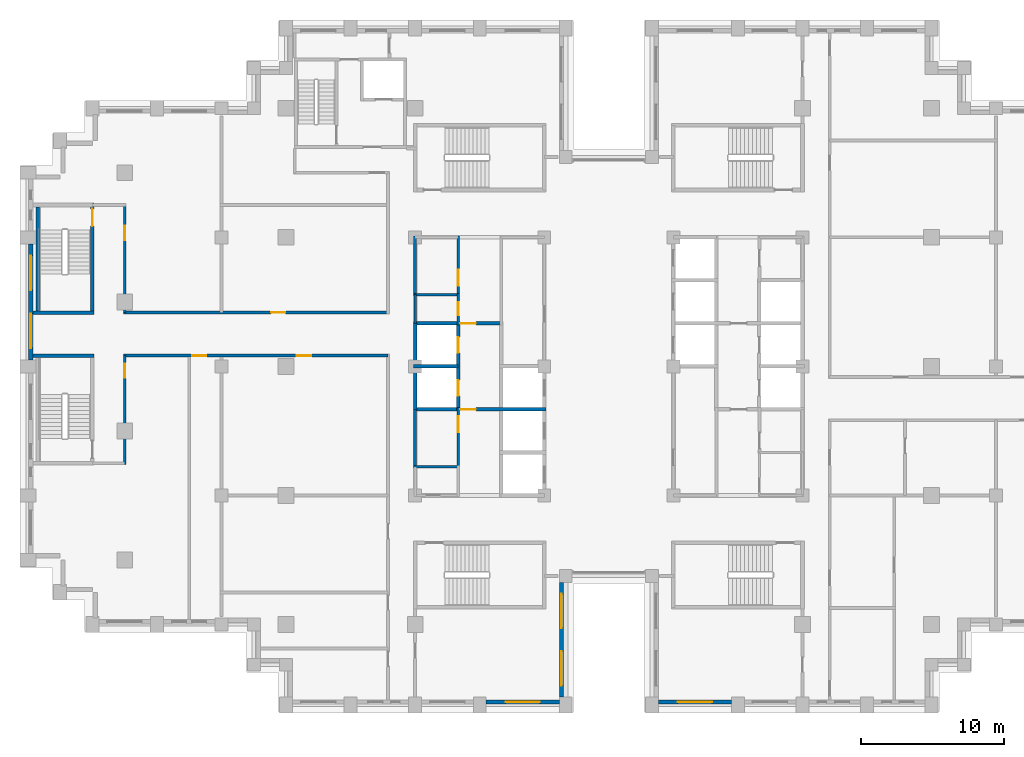
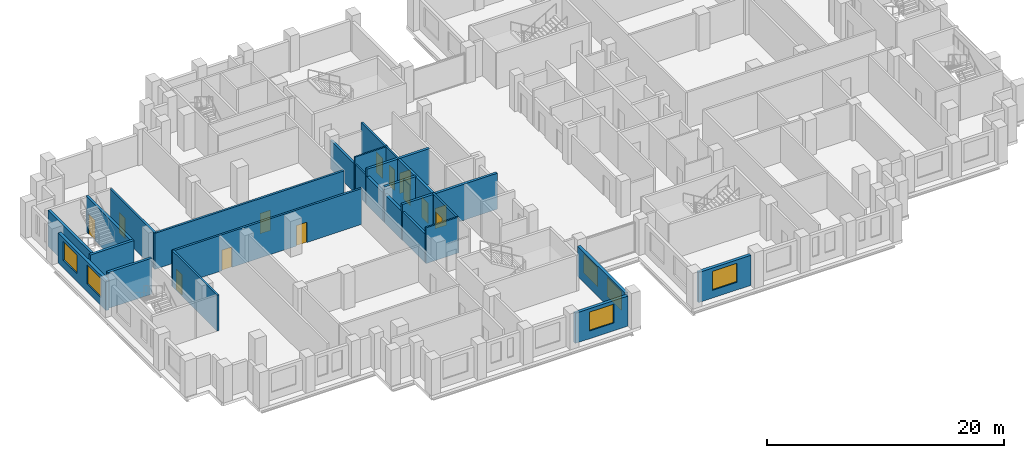
# One storey, part 7 of 15: 25 walls, 13 doors, 6 windows, 19 openings.
"""IFC4 building model written with IfcOpenShell, lengths in metres."""

from ifc_helpers import new_model, si_unit, direction, frame, frame_2d, origin, place, context, subcontext, project, spatial, rectangle, extrude, material, layer, layer_set, type_object, element, fill, save


model = new_model("IFC4")

# Units and contexts
model_context = context("Model", 3, precision=1e-05, world=origin(), true_north=direction((0.0, 1.0)))
body_context = subcontext(model_context, "Body", "Model", "MODEL_VIEW")
ifc_project = project(units=[si_unit("LENGTHUNIT", "METRE"), si_unit("AREAUNIT", "SQUARE_METRE"), si_unit("VOLUMEUNIT", "CUBIC_METRE"), si_unit("PLANEANGLEUNIT", "RADIAN"), si_unit("MASSUNIT", "GRAM", prefix="KILO")], contexts=[model_context])

# Site, building, storey
site_placement = place(None, origin())
site = spatial("IfcSite", under=ifc_project, at=site_placement, CompositionType="ELEMENT")
building_placement = place(site_placement, origin())
building = spatial("IfcBuilding", under=site, at=building_placement, Name="Corbelhall Arena Tower", CompositionType="ELEMENT")
storey_placement = place(building_placement, frame((0.0, 0.0, 138.0)))
storey = spatial("IfcBuildingStorey", under=building, at=storey_placement, Name="L26", CompositionType="ELEMENT", Elevation=138.0)

# Wall, openings, windows
ifc_material_1 = material(Name="Precast concrete C40/50 with granite facing", Category="masonry")
ifc_layer_1 = layer(ifc_material_1, 0.300048828125)
ifc_layer_set_1 = layer_set([ifc_layer_1], Name="EV-IW1 Infill panel 300")
wall_type_1 = type_object("IfcWallType", Name="EV-IW1 Infill panel 300", PredefinedType="SOLIDWALL", material=ifc_layer_set_1)
wall_1_placement = place(storey_placement, frame((-40.300048828125, 8.550048828125, 0.0), z_axis=(0.0, 0.0, 1.0), x_axis=(0.0, -1.0, 0.0)))
wall_1 = element("IfcWall", 1, at=wall_1_placement, inside=storey, type_object=wall_type_1, Name="Infill panel IW1", PredefinedType="SOLIDWALL", context=body_context, shape_type="SweptSolid", body=[
    extrude(rectangle(XDim=8.10009765625, YDim=0.300048828125, at=frame_2d((4.050048828125, 0.0))), origin(), (0.0, 0.0, 1.0), 3.10009765625),
])
opening_1_placement = place(wall_1_placement, frame((0.824951171875, 0.0, 0.800048828125)))
opening_1 = element("IfcOpeningElement", 2, at=opening_1_placement, cuts=wall_1, Name="Opening WN1", PredefinedType="OPENING", context=body_context, shape_type="SweptSolid", body=[
    extrude(rectangle(XDim=2.39990234375, YDim=1.949951171875, at=frame_2d((1.199951171875, 0.97509765625))), frame((0.0, 0.14990234375, 0.0), z_axis=(0.0, -1.0, 0.0), x_axis=(1.0, 0.0, 0.0)), (0.0, 0.0, 1.0), 0.300048828125),
])
opening_2_placement = place(wall_1_placement, frame((4.875, 0.0, 0.800048828125)))
opening_2 = element("IfcOpeningElement", 3, at=opening_2_placement, cuts=wall_1, Name="Opening WN1", PredefinedType="OPENING", context=body_context, shape_type="SweptSolid", body=[
    extrude(rectangle(XDim=2.39990234375, YDim=1.949951171875, at=frame_2d((1.199951171875, 0.97509765625))), frame((0.0, 0.14990234375, 0.0), z_axis=(0.0, -1.0, 0.0), x_axis=(1.0, 0.0, 0.0)), (0.0, 0.0, 1.0), 0.300048828125),
])
ifc_material_2 = material(Name="Aluminium black anodised", Category="aluminium")
window_type = type_object("IfcWindowType", Name="EV-WN1 Office window", PartitioningType="SINGLE_PANEL", PredefinedType="WINDOW", material=ifc_material_2)
window_1_placement = place(opening_1_placement, origin())
window_1 = element("IfcWindow", 4, at=window_1_placement, inside=storey, type_object=window_type, Name="Window WN1", OverallHeight=1.949951171875, OverallWidth=2.39990234375, PartitioningType="SINGLE_PANEL", PredefinedType="WINDOW", context=body_context, shape_type="SweptSolid", body=[
    extrude(rectangle(XDim=2.39990234375, YDim=1.949951171875, at=frame_2d((1.199951171875, 0.97509765625))), frame((0.0, 0.030029296875, 0.0), z_axis=(0.0, -1.0, 0.0), x_axis=(1.0, 0.0, 0.0)), (0.0, 0.0, 1.0), 0.06005859375),
])
fill(opening_1, window_1)
window_2_placement = place(opening_2_placement, origin())
window_2 = element("IfcWindow", 5, at=window_2_placement, inside=storey, type_object=window_type, Name="Window WN1", OverallHeight=1.949951171875, OverallWidth=2.39990234375, PartitioningType="SINGLE_PANEL", PredefinedType="WINDOW", context=body_context, shape_type="SweptSolid", body=[
    extrude(rectangle(XDim=2.39990234375, YDim=1.949951171875, at=frame_2d((1.199951171875, 0.97509765625))), frame((0.0, 0.030029296875, 0.0), z_axis=(0.0, -1.0, 0.0), x_axis=(1.0, 0.0, 0.0)), (0.0, 0.0, 1.0), 0.06005859375),
])
fill(opening_2, window_2)

# Wall, opening, window
wall_2_placement = place(storey_placement, frame((-8.550048828125, -23.39990234375, 0.0), z_axis=(0.0, 0.0, 1.0), x_axis=(1.0, 0.0, 0.0)))
wall_2 = element("IfcWall", 6, at=wall_2_placement, inside=storey, type_object=wall_type_1, Name="Infill panel IW1", PredefinedType="SOLIDWALL", context=body_context, shape_type="SweptSolid", body=[
    extrude(rectangle(XDim=5.10009765625, YDim=0.300048828125, at=frame_2d((2.550048828125, 0.0))), origin(), (0.0, 0.0, 1.0), 3.10009765625),
])
opening_3_placement = place(wall_2_placement, frame((1.35009765625, 0.0, 0.800048828125)))
opening_3 = element("IfcOpeningElement", 7, at=opening_3_placement, cuts=wall_2, Name="Opening WN1", PredefinedType="OPENING", context=body_context, shape_type="SweptSolid", body=[
    extrude(rectangle(XDim=2.39990234375, YDim=1.949951171875, at=frame_2d((1.199951171875, 0.97509765625))), frame((0.0, 0.14990234375, 0.0), z_axis=(0.0, -1.0, 0.0), x_axis=(1.0, 0.0, 0.0)), (0.0, 0.0, 1.0), 0.300048828125),
])
window_3_placement = place(opening_3_placement, origin())
window_3 = element("IfcWindow", 8, at=window_3_placement, inside=storey, type_object=window_type, Name="Window WN1", OverallHeight=1.949951171875, OverallWidth=2.39990234375, PartitioningType="SINGLE_PANEL", PredefinedType="WINDOW", context=body_context, shape_type="SweptSolid", body=[
    extrude(rectangle(XDim=2.39990234375, YDim=1.949951171875, at=frame_2d((1.199951171875, 0.97509765625))), frame((0.0, 0.030029296875, 0.0), z_axis=(0.0, -1.0, 0.0), x_axis=(1.0, 0.0, 0.0)), (0.0, 0.0, 1.0), 0.06005859375),
])
fill(opening_3, window_3)

# Wall, openings, windows
wall_3_placement = place(storey_placement, frame((-3.300048828125, -23.050048828125, 0.0), z_axis=(0.0, 0.0, 1.0), x_axis=(0.0, 1.0, 0.0)))
wall_3 = element("IfcWall", 9, at=wall_3_placement, inside=storey, type_object=wall_type_1, Name="Infill panel IW1", PredefinedType="SOLIDWALL", context=body_context, shape_type="SweptSolid", body=[
    extrude(rectangle(XDim=8.0, YDim=0.300048828125, at=frame_2d((4.0, 0.0))), origin(), (0.0, 0.0, 1.0), 3.10009765625),
])
opening_4_placement = place(wall_3_placement, frame((0.800048828125, 0.0, 0.800048828125)))
opening_4 = element("IfcOpeningElement", 10, at=opening_4_placement, cuts=wall_3, Name="Opening WN1", PredefinedType="OPENING", context=body_context, shape_type="SweptSolid", body=[
    extrude(rectangle(XDim=2.39990234375, YDim=1.949951171875, at=frame_2d((1.199951171875, 0.97509765625))), frame((0.0, 0.14990234375, 0.0), z_axis=(0.0, -1.0, 0.0), x_axis=(1.0, 0.0, 0.0)), (0.0, 0.0, 1.0), 0.300048828125),
])
opening_5_placement = place(wall_3_placement, frame((4.800048828125, 0.0, 0.800048828125)))
opening_5 = element("IfcOpeningElement", 11, at=opening_5_placement, cuts=wall_3, Name="Opening WN1", PredefinedType="OPENING", context=body_context, shape_type="SweptSolid", body=[
    extrude(rectangle(XDim=2.39990234375, YDim=1.949951171875, at=frame_2d((1.199951171875, 0.97509765625))), frame((0.0, 0.14990234375, 0.0), z_axis=(0.0, -1.0, 0.0), x_axis=(1.0, 0.0, 0.0)), (0.0, 0.0, 1.0), 0.300048828125),
])
window_4_placement = place(opening_4_placement, origin())
window_4 = element("IfcWindow", 12, at=window_4_placement, inside=storey, type_object=window_type, Name="Window WN1", OverallHeight=1.949951171875, OverallWidth=2.39990234375, PartitioningType="SINGLE_PANEL", PredefinedType="WINDOW", context=body_context, shape_type="SweptSolid", body=[
    extrude(rectangle(XDim=2.39990234375, YDim=1.949951171875, at=frame_2d((1.199951171875, 0.97509765625))), frame((0.0, 0.030029296875, 0.0), z_axis=(0.0, -1.0, 0.0), x_axis=(1.0, 0.0, 0.0)), (0.0, 0.0, 1.0), 0.06005859375),
])
fill(opening_4, window_4)
window_5_placement = place(opening_5_placement, origin())
window_5 = element("IfcWindow", 13, at=window_5_placement, inside=storey, type_object=window_type, Name="Window WN1", OverallHeight=1.949951171875, OverallWidth=2.39990234375, PartitioningType="SINGLE_PANEL", PredefinedType="WINDOW", context=body_context, shape_type="SweptSolid", body=[
    extrude(rectangle(XDim=2.39990234375, YDim=1.949951171875, at=frame_2d((1.199951171875, 0.97509765625))), frame((0.0, 0.030029296875, 0.0), z_axis=(0.0, -1.0, 0.0), x_axis=(1.0, 0.0, 0.0)), (0.0, 0.0, 1.0), 0.06005859375),
])
fill(opening_5, window_5)

# Wall, opening, window
wall_4_placement = place(storey_placement, frame((3.449951171875, -23.39990234375, 0.0), z_axis=(0.0, 0.0, 1.0), x_axis=(1.0, 0.0, 0.0)))
wall_4 = element("IfcWall", 14, at=wall_4_placement, inside=storey, type_object=wall_type_1, Name="Infill panel IW1", PredefinedType="SOLIDWALL", context=body_context, shape_type="SweptSolid", body=[
    extrude(rectangle(XDim=5.10009765625, YDim=0.300048828125, at=frame_2d((2.550048828125, 0.0))), origin(), (0.0, 0.0, 1.0), 3.10009765625),
])
opening_6_placement = place(wall_4_placement, frame((1.35009765625, 0.0, 0.800048828125)))
opening_6 = element("IfcOpeningElement", 15, at=opening_6_placement, cuts=wall_4, Name="Opening WN1", PredefinedType="OPENING", context=body_context, shape_type="SweptSolid", body=[
    extrude(rectangle(XDim=2.39990234375, YDim=1.949951171875, at=frame_2d((1.199951171875, 0.97509765625))), frame((0.0, 0.14990234375, 0.0), z_axis=(0.0, -1.0, 0.0), x_axis=(1.0, 0.0, 0.0)), (0.0, 0.0, 1.0), 0.300048828125),
])
window_6_placement = place(opening_6_placement, origin())
window_6 = element("IfcWindow", 16, at=window_6_placement, inside=storey, type_object=window_type, Name="Window WN1", OverallHeight=1.949951171875, OverallWidth=2.39990234375, PartitioningType="SINGLE_PANEL", PredefinedType="WINDOW", context=body_context, shape_type="SweptSolid", body=[
    extrude(rectangle(XDim=2.39990234375, YDim=1.949951171875, at=frame_2d((1.199951171875, 0.97509765625))), frame((0.0, 0.030029296875, 0.0), z_axis=(0.0, -1.0, 0.0), x_axis=(1.0, 0.0, 0.0)), (0.0, 0.0, 1.0), 0.06005859375),
])
fill(opening_6, window_6)

# Wall, opening, door
ifc_material_3 = material(Name="Gypsum board on steel stud, acoustic", Category="steel")
ifc_layer_2 = layer(ifc_material_3, 0.199951171875)
ifc_layer_set_2 = layer_set([ifc_layer_2], Name="IN-W-DM200")
wall_type_2 = type_object("IfcWallType", Name="IN-W-DM200", PredefinedType="PARTITIONING", material=ifc_layer_set_2)
wall_5_placement = place(storey_placement, frame((-33.85009765625, 3.75, 0.0), z_axis=(0.0, 0.0, 1.0), x_axis=(1.0, 0.0, 0.0)))
wall_5 = element("IfcWall", 17, at=wall_5_placement, inside=storey, type_object=wall_type_2, Name="Partition 002", PredefinedType="PARTITIONING", context=body_context, shape_type="SweptSolid", body=[
    extrude(rectangle(XDim=18.4501953125, YDim=0.199951171875, at=frame_2d((9.22509765625, 0.0))), origin(), (0.0, 0.0, 1.0), 3.699951171875),
])
opening_7_placement = place(wall_5_placement, frame((10.300048828125, 0.0, 0.0)))
opening_7 = element("IfcOpeningElement", 18, at=opening_7_placement, cuts=wall_5, Name="Opening 07026", PredefinedType="OPENING", context=body_context, shape_type="SweptSolid", body=[
    extrude(rectangle(XDim=1.0, YDim=2.10009765625, at=frame_2d((0.5, 1.050048828125))), frame((0.0, 0.10009765625, 0.0), z_axis=(0.0, -1.0, 0.0), x_axis=(1.0, 0.0, 0.0)), (0.0, 0.0, 1.0), 0.199951171875),
])
ifc_material_4 = material(Name="Steel door set", Category="steel")
door_type_1 = type_object("IfcDoorType", Name="IN-D-SW100", OperationType="NOTDEFINED", PredefinedType="DOOR", material=ifc_material_4)
door_1_placement = place(opening_7_placement, origin())
door_1 = element("IfcDoor", 19, at=door_1_placement, inside=storey, type_object=door_type_1, Name="Door 026", OperationType="SINGLE_SWING_LEFT", OverallHeight=2.10009765625, OverallWidth=1.0, PredefinedType="DOOR", context=body_context, shape_type="SweptSolid", body=[
    extrude(rectangle(XDim=1.0, YDim=2.10009765625, at=frame_2d((0.5, 1.050048828125))), frame((0.0, 0.02490234375, 0.0), z_axis=(0.0, -1.0, 0.0), x_axis=(1.0, 0.0, 0.0)), (0.0, 0.0, 1.0), 0.050048828125),
])
fill(opening_7, door_1)

wall_6_placement = place(storey_placement, frame((-33.75, 0.75, 0.0), z_axis=(0.0, 0.0, 1.0), x_axis=(0.0, -1.0, 0.0)))
wall_6 = element("IfcWall", 20, at=wall_6_placement, inside=storey, type_object=wall_type_2, Name="Partition 004", PredefinedType="PARTITIONING", context=body_context, shape_type="SweptSolid", body=[
    extrude(rectangle(XDim=7.60009765625, YDim=0.199951171875, at=frame_2d((3.800048828125, 0.0))), origin(), (0.0, 0.0, 1.0), 3.699951171875),
])
opening_8_placement = place(wall_6_placement, frame((0.550048828125, 0.0, 0.0)))
opening_8 = element("IfcOpeningElement", 21, at=opening_8_placement, cuts=wall_6, Name="Opening 07041", PredefinedType="OPENING", context=body_context, shape_type="SweptSolid", body=[
    extrude(rectangle(XDim=1.0, YDim=2.10009765625, at=frame_2d((0.5, 1.050048828125))), frame((0.0, 0.10009765625, 0.0), z_axis=(0.0, -1.0, 0.0), x_axis=(1.0, 0.0, 0.0)), (0.0, 0.0, 1.0), 0.199951171875),
])
door_2_placement = place(opening_8_placement, origin())
door_2 = element("IfcDoor", 22, at=door_2_placement, inside=storey, type_object=door_type_1, Name="Door 041", OperationType="SINGLE_SWING_RIGHT", OverallHeight=2.10009765625, OverallWidth=1.0, PredefinedType="DOOR", context=body_context, shape_type="SweptSolid", body=[
    extrude(rectangle(XDim=1.0, YDim=2.10009765625, at=frame_2d((0.5, 1.050048828125))), frame((0.0, 0.02490234375, 0.0), z_axis=(0.0, -1.0, 0.0), x_axis=(1.0, 0.0, 0.0)), (0.0, 0.0, 1.0), 0.050048828125),
])
fill(opening_8, door_2)

wall_7_placement = place(storey_placement, frame((-33.75, 11.25, 0.0), z_axis=(0.0, 0.0, 1.0), x_axis=(0.0, -1.0, 0.0)))
wall_7 = element("IfcWall", 23, at=wall_7_placement, inside=storey, type_object=wall_type_2, Name="Partition 005", PredefinedType="PARTITIONING", context=body_context, shape_type="SweptSolid", body=[
    extrude(rectangle(XDim=7.5, YDim=0.199951171875, at=frame_2d((3.75, 0.0))), origin(), (0.0, 0.0, 1.0), 3.699951171875),
])
opening_9_placement = place(wall_7_placement, frame((1.449951171875, 0.0, 0.0)))
opening_9 = element("IfcOpeningElement", 24, at=opening_9_placement, cuts=wall_7, Name="Opening 07040", PredefinedType="OPENING", context=body_context, shape_type="SweptSolid", body=[
    extrude(rectangle(XDim=1.0, YDim=2.10009765625, at=frame_2d((0.5, 1.050048828125))), frame((0.0, 0.10009765625, 0.0), z_axis=(0.0, -1.0, 0.0), x_axis=(1.0, 0.0, 0.0)), (0.0, 0.0, 1.0), 0.199951171875),
])
door_3_placement = place(opening_9_placement, origin())
door_3 = element("IfcDoor", 25, at=door_3_placement, inside=storey, type_object=door_type_1, Name="Door 040", OperationType="SINGLE_SWING_LEFT", OverallHeight=2.10009765625, OverallWidth=1.0, PredefinedType="DOOR", context=body_context, shape_type="SweptSolid", body=[
    extrude(rectangle(XDim=1.0, YDim=2.10009765625, at=frame_2d((0.5, 1.050048828125))), frame((0.0, 0.02490234375, 0.0), z_axis=(0.0, -1.0, 0.0), x_axis=(1.0, 0.0, 0.0)), (0.0, 0.0, 1.0), 0.050048828125),
])
fill(opening_9, door_3)

# Wall, openings, doors
wall_8_placement = place(storey_placement, frame((-15.39990234375, 0.75, 0.0), z_axis=(0.0, 0.0, 1.0), x_axis=(-1.0, 0.0, 0.0)))
wall_8 = element("IfcWall", 26, at=wall_8_placement, inside=storey, type_object=wall_type_2, Name="Partition 007", PredefinedType="PARTITIONING", context=body_context, shape_type="SweptSolid", body=[
    extrude(rectangle(XDim=18.4501953125, YDim=0.199951171875, at=frame_2d((9.22509765625, 0.0))), origin(), (0.0, 0.0, 1.0), 3.699951171875),
])
opening_10_placement = place(wall_8_placement, frame((5.35009765625, 0.0, 0.0)))
opening_10 = element("IfcOpeningElement", 27, at=opening_10_placement, cuts=wall_8, Name="Opening 07031", PredefinedType="OPENING", context=body_context, shape_type="SweptSolid", body=[
    extrude(rectangle(XDim=1.0, YDim=2.10009765625, at=frame_2d((0.5, 1.050048828125))), frame((0.0, 0.10009765625, 0.0), z_axis=(0.0, -1.0, 0.0), x_axis=(1.0, 0.0, 0.0)), (0.0, 0.0, 1.0), 0.199951171875),
])
opening_11_placement = place(wall_8_placement, frame((12.64990234375, 0.0, 0.0)))
opening_11 = element("IfcOpeningElement", 28, at=opening_11_placement, cuts=wall_8, Name="Opening 07042", PredefinedType="OPENING", context=body_context, shape_type="SweptSolid", body=[
    extrude(rectangle(XDim=1.0, YDim=2.10009765625, at=frame_2d((0.5, 1.050048828125))), frame((0.0, 0.10009765625, 0.0), z_axis=(0.0, -1.0, 0.0), x_axis=(1.0, 0.0, 0.0)), (0.0, 0.0, 1.0), 0.199951171875),
])
door_4_placement = place(opening_10_placement, origin())
door_4 = element("IfcDoor", 29, at=door_4_placement, inside=storey, type_object=door_type_1, Name="Door 031", OperationType="SINGLE_SWING_RIGHT", OverallHeight=2.10009765625, OverallWidth=1.0, PredefinedType="DOOR", context=body_context, shape_type="SweptSolid", body=[
    extrude(rectangle(XDim=1.0, YDim=2.10009765625, at=frame_2d((0.5, 1.050048828125))), frame((0.0, 0.02490234375, 0.0), z_axis=(0.0, -1.0, 0.0), x_axis=(1.0, 0.0, 0.0)), (0.0, 0.0, 1.0), 0.050048828125),
])
fill(opening_10, door_4)
door_5_placement = place(opening_11_placement, origin())
door_5 = element("IfcDoor", 30, at=door_5_placement, inside=storey, type_object=door_type_1, Name="Door 042", OperationType="SINGLE_SWING_LEFT", OverallHeight=2.10009765625, OverallWidth=1.0, PredefinedType="DOOR", context=body_context, shape_type="SweptSolid", body=[
    extrude(rectangle(XDim=1.0, YDim=2.10009765625, at=frame_2d((0.5, 1.050048828125))), frame((0.0, 0.02490234375, 0.0), z_axis=(0.0, -1.0, 0.0), x_axis=(1.0, 0.0, 0.0)), (0.0, 0.0, 1.0), 0.050048828125),
])
fill(opening_11, door_5)

# Wall, opening, door
ifc_material_5 = material(Name="Concrete block wall", Category="concrete")
ifc_layer_3 = layer(ifc_material_5, 0.199951171875)
ifc_layer_set_3 = layer_set([ifc_layer_3], Name="IN-W-RS200")
wall_type_3 = type_object("IfcWallType", Name="IN-W-RS200", PredefinedType="SOLIDWALL", material=ifc_layer_set_3)
wall_9_placement = place(storey_placement, frame((-10.5, -7.074951171875, 0.0), z_axis=(0.0, 0.0, 1.0), x_axis=(0.0, 1.0, 0.0)))
wall_9 = element("IfcWall", 31, at=wall_9_placement, inside=storey, type_object=wall_type_3, Name="Partition 049", PredefinedType="SOLIDWALL", context=body_context, shape_type="SweptSolid", body=[
    extrude(rectangle(XDim=4.199951171875, YDim=0.199951171875, at=frame_2d((2.10009765625, 0.0))), origin(), (0.0, 0.0, 1.0), 3.699951171875),
])
opening_12_placement = place(wall_9_placement, frame((2.5, 0.0, 0.0)))
opening_12 = element("IfcOpeningElement", 32, at=opening_12_placement, cuts=wall_9, Name="Opening 07005", PredefinedType="OPENING", context=body_context, shape_type="SweptSolid", body=[
    extrude(rectangle(XDim=1.10009765625, YDim=2.10009765625, at=frame_2d((0.550048828125, 1.050048828125))), frame((0.0, 0.10009765625, 0.0), z_axis=(0.0, -1.0, 0.0), x_axis=(1.0, 0.0, 0.0)), (0.0, 0.0, 1.0), 0.199951171875),
])
door_type_2 = type_object("IfcDoorType", Name="IN-D-FD110", OperationType="NOTDEFINED", PredefinedType="DOOR", material=ifc_material_4)
door_6_placement = place(opening_12_placement, origin())
door_6 = element("IfcDoor", 33, at=door_6_placement, inside=storey, type_object=door_type_2, Name="Door 005", OperationType="SINGLE_SWING_RIGHT", OverallHeight=2.10009765625, OverallWidth=1.10009765625, PredefinedType="DOOR", context=body_context, shape_type="SweptSolid", body=[
    extrude(rectangle(XDim=1.10009765625, YDim=2.10009765625, at=frame_2d((0.550048828125, 1.050048828125))), frame((0.0, 0.02490234375, 0.0), z_axis=(0.0, -1.0, 0.0), x_axis=(1.0, 0.0, 0.0)), (0.0, 0.0, 1.0), 0.050048828125),
])
fill(opening_12, door_6)

wall_10_placement = place(storey_placement, frame((-10.5, 4.925048828125, 0.0), z_axis=(0.0, 0.0, 1.0), x_axis=(0.0, 1.0, 0.0)))
wall_10 = element("IfcWall", 34, at=wall_10_placement, inside=storey, type_object=wall_type_3, Name="Partition 050", PredefinedType="SOLIDWALL", context=body_context, shape_type="SweptSolid", body=[
    extrude(rectangle(XDim=4.175048828125, YDim=0.199951171875, at=frame_2d((2.08740234375, 0.0))), origin(), (0.0, 0.0, 1.0), 3.699951171875),
])
opening_13_placement = place(wall_10_placement, frame((0.699951171875, 0.0, 0.0)))
opening_13 = element("IfcOpeningElement", 35, at=opening_13_placement, cuts=wall_10, Name="Opening 07007", PredefinedType="OPENING", context=body_context, shape_type="SweptSolid", body=[
    extrude(rectangle(XDim=1.10009765625, YDim=2.10009765625, at=frame_2d((0.550048828125, 1.050048828125))), frame((0.0, 0.10009765625, 0.0), z_axis=(0.0, -1.0, 0.0), x_axis=(1.0, 0.0, 0.0)), (0.0, 0.0, 1.0), 0.199951171875),
])
door_7_placement = place(opening_13_placement, origin())
door_7 = element("IfcDoor", 36, at=door_7_placement, inside=storey, type_object=door_type_2, Name="Door 007", OperationType="SINGLE_SWING_RIGHT", OverallHeight=2.10009765625, OverallWidth=1.10009765625, PredefinedType="DOOR", context=body_context, shape_type="SweptSolid", body=[
    extrude(rectangle(XDim=1.10009765625, YDim=2.10009765625, at=frame_2d((0.550048828125, 1.050048828125))), frame((0.0, 0.02490234375, 0.0), z_axis=(0.0, -1.0, 0.0), x_axis=(1.0, 0.0, 0.0)), (0.0, 0.0, 1.0), 0.050048828125),
])
fill(opening_13, door_7)

# Walls
ifc_layer_4 = layer(ifc_material_5, 0.199951171875)
ifc_layer_set_4 = layer_set([ifc_layer_4], Name="IN-W-RS200 under beam 762 mm")
wall_type_4 = type_object("IfcWallType", Name="IN-W-RS200 under beam 762 mm", PredefinedType="SOLIDWALL", material=ifc_layer_set_4)
wall_11_placement = place(storey_placement, frame((-13.5, -7.0, 0.0), z_axis=(0.0, 0.0, 1.0), x_axis=(0.0, 1.0, 0.0)))
element("IfcWall", 37, at=wall_11_placement, inside=storey, type_object=wall_type_4, Name="Partition 046", PredefinedType="SOLIDWALL", context=body_context, shape_type="SweptSolid", body=[
    extrude(rectangle(XDim=4.0, YDim=0.199951171875, at=frame_2d((2.0, 0.0))), origin(), (0.0, 0.0, 1.0), 2.93798828125),
])
wall_12_placement = place(storey_placement, frame((-13.5, 5.0, 0.0), z_axis=(0.0, 0.0, 1.0), x_axis=(0.0, 1.0, 0.0)))
element("IfcWall", 38, at=wall_12_placement, inside=storey, type_object=wall_type_4, Name="Partition 047", PredefinedType="SOLIDWALL", context=body_context, shape_type="SweptSolid", body=[
    extrude(rectangle(XDim=4.10009765625, YDim=0.199951171875, at=frame_2d((2.050048828125, 0.0))), origin(), (0.0, 0.0, 1.0), 2.93798828125),
])
ifc_material_6 = material(Name="Concrete C40/50", Category="concrete")
ifc_layer_5 = layer(ifc_material_6, 0.25)
ifc_layer_set_5 = layer_set([ifc_layer_5], Name="IN-W-SH250")
wall_type_5 = type_object("IfcWallType", Name="IN-W-SH250", PredefinedType="SOLIDWALL", material=ifc_layer_set_5)
wall_13_placement = place(storey_placement, frame((-13.625, 0.0, 0.0), z_axis=(0.0, 0.0, 1.0), x_axis=(1.0, 0.0, 0.0)))
element("IfcWall", 39, at=wall_13_placement, inside=storey, type_object=wall_type_5, Name="Shaft wall 062", PredefinedType="SOLIDWALL", context=body_context, shape_type="SweptSolid", body=[
    extrude(rectangle(XDim=3.125, YDim=0.25, at=frame_2d((1.5625, 0.0))), origin(), (0.0, 0.0, 1.0), 3.699951171875),
])

# Wall, opening, door
wall_14_placement = place(storey_placement, frame((-13.625, 3.0, 0.0), z_axis=(0.0, 0.0, 1.0), x_axis=(1.0, 0.0, 0.0)))
wall_14 = element("IfcWall", 40, at=wall_14_placement, inside=storey, type_object=wall_type_5, Name="Shaft wall 063", PredefinedType="SOLIDWALL", context=body_context, shape_type="SweptSolid", body=[
    extrude(rectangle(XDim=6.125, YDim=0.25, at=frame_2d((3.0625, 0.0))), origin(), (0.0, 0.0, 1.0), 3.699951171875),
])
opening_14_placement = place(wall_14_placement, frame((3.25, 0.0, 0.0)))
opening_14 = element("IfcOpeningElement", 41, at=opening_14_placement, cuts=wall_14, Name="Opening 07003", PredefinedType="OPENING", context=body_context, shape_type="SweptSolid", body=[
    extrude(rectangle(XDim=1.10009765625, YDim=2.10009765625, at=frame_2d((0.550048828125, 1.050048828125))), frame((0.0, 0.125, 0.0), z_axis=(0.0, -1.0, 0.0), x_axis=(1.0, 0.0, 0.0)), (0.0, 0.0, 1.0), 0.25),
])
door_8_placement = place(opening_14_placement, origin())
door_8 = element("IfcDoor", 42, at=door_8_placement, inside=storey, type_object=door_type_2, Name="Door 003", OperationType="SINGLE_SWING_RIGHT", OverallHeight=2.10009765625, OverallWidth=1.10009765625, PredefinedType="DOOR", context=body_context, shape_type="SweptSolid", body=[
    extrude(rectangle(XDim=1.10009765625, YDim=2.10009765625, at=frame_2d((0.550048828125, 1.050048828125))), frame((0.0, 0.02490234375, 0.0), z_axis=(0.0, -1.0, 0.0), x_axis=(1.0, 0.0, 0.0)), (0.0, 0.0, 1.0), 0.050048828125),
])
fill(opening_14, door_8)

wall_15_placement = place(storey_placement, frame((-13.625, -3.0, 0.0), z_axis=(0.0, 0.0, 1.0), x_axis=(1.0, 0.0, 0.0)))
wall_15 = element("IfcWall", 43, at=wall_15_placement, inside=storey, type_object=wall_type_5, Name="Shaft wall 065", PredefinedType="SOLIDWALL", context=body_context, shape_type="SweptSolid", body=[
    extrude(rectangle(XDim=9.25, YDim=0.25, at=frame_2d((4.625, 0.0))), origin(), (0.0, 0.0, 1.0), 3.699951171875),
])
opening_15_placement = place(wall_15_placement, frame((3.25, 0.0, 0.0)))
opening_15 = element("IfcOpeningElement", 44, at=opening_15_placement, cuts=wall_15, Name="Opening 07002", PredefinedType="OPENING", context=body_context, shape_type="SweptSolid", body=[
    extrude(rectangle(XDim=1.10009765625, YDim=2.10009765625, at=frame_2d((0.550048828125, 1.050048828125))), frame((0.0, 0.125, 0.0), z_axis=(0.0, -1.0, 0.0), x_axis=(1.0, 0.0, 0.0)), (0.0, 0.0, 1.0), 0.25),
])
door_9_placement = place(opening_15_placement, origin())
door_9 = element("IfcDoor", 45, at=door_9_placement, inside=storey, type_object=door_type_2, Name="Door 002", OperationType="SINGLE_SWING_LEFT", OverallHeight=2.10009765625, OverallWidth=1.10009765625, PredefinedType="DOOR", context=body_context, shape_type="SweptSolid", body=[
    extrude(rectangle(XDim=1.10009765625, YDim=2.10009765625, at=frame_2d((0.550048828125, 1.050048828125))), frame((0.0, 0.02490234375, 0.0), z_axis=(0.0, -1.0, 0.0), x_axis=(1.0, 0.0, 0.0)), (0.0, 0.0, 1.0), 0.050048828125),
])
fill(opening_15, door_9)

# Wall, openings, doors
wall_16_placement = place(storey_placement, frame((-10.5, -3.125, 0.0), z_axis=(0.0, 0.0, 1.0), x_axis=(0.0, 1.0, 0.0)))
wall_16 = element("IfcWall", 46, at=wall_16_placement, inside=storey, type_object=wall_type_5, Name="Shaft wall 066", PredefinedType="SOLIDWALL", context=body_context, shape_type="SweptSolid", body=[
    extrude(rectangle(XDim=6.25, YDim=0.25, at=frame_2d((3.125, 0.0))), origin(), (0.0, 0.0, 1.0), 3.699951171875),
])
opening_16_placement = place(wall_16_placement, frame((1.074951171875, 0.0, 0.0)))
opening_16 = element("IfcOpeningElement", 47, at=opening_16_placement, cuts=wall_16, Name="Opening LD", PredefinedType="OPENING", context=body_context, shape_type="SweptSolid", body=[
    extrude(rectangle(XDim=1.10009765625, YDim=2.10009765625, at=frame_2d((0.550048828125, 1.050048828125))), frame((0.0, 0.125, 0.0), z_axis=(0.0, -1.0, 0.0), x_axis=(1.0, 0.0, 0.0)), (0.0, 0.0, 1.0), 0.25),
])
opening_17_placement = place(wall_16_placement, frame((4.074951171875, 0.0, 0.0)))
opening_17 = element("IfcOpeningElement", 48, at=opening_17_placement, cuts=wall_16, Name="Opening LD", PredefinedType="OPENING", context=body_context, shape_type="SweptSolid", body=[
    extrude(rectangle(XDim=1.10009765625, YDim=2.10009765625, at=frame_2d((0.550048828125, 1.050048828125))), frame((0.0, 0.125, 0.0), z_axis=(0.0, -1.0, 0.0), x_axis=(1.0, 0.0, 0.0)), (0.0, 0.0, 1.0), 0.25),
])
door_type_3 = type_object("IfcDoorType", Name="IN-D-LD110", OperationType="NOTDEFINED", PredefinedType="DOOR", material=ifc_material_4)
door_10_placement = place(opening_16_placement, origin())
door_10 = element("IfcDoor", 49, at=door_10_placement, inside=storey, type_object=door_type_3, Name="Landing door W3", OperationType="SLIDING_TO_LEFT", OverallHeight=2.10009765625, OverallWidth=1.10009765625, PredefinedType="DOOR", context=body_context, shape_type="SweptSolid", body=[
    extrude(rectangle(XDim=1.10009765625, YDim=2.10009765625, at=frame_2d((0.550048828125, 1.050048828125))), frame((0.0, 0.02490234375, 0.0), z_axis=(0.0, -1.0, 0.0), x_axis=(1.0, 0.0, 0.0)), (0.0, 0.0, 1.0), 0.050048828125),
])
fill(opening_16, door_10)
door_11_placement = place(opening_17_placement, origin())
door_11 = element("IfcDoor", 50, at=door_11_placement, inside=storey, type_object=door_type_3, Name="Landing door W4", OperationType="SLIDING_TO_LEFT", OverallHeight=2.10009765625, OverallWidth=1.10009765625, PredefinedType="DOOR", context=body_context, shape_type="SweptSolid", body=[
    extrude(rectangle(XDim=1.10009765625, YDim=2.10009765625, at=frame_2d((0.550048828125, 1.050048828125))), frame((0.0, 0.02490234375, 0.0), z_axis=(0.0, -1.0, 0.0), x_axis=(1.0, 0.0, 0.0)), (0.0, 0.0, 1.0), 0.050048828125),
])
fill(opening_17, door_11)

# Walls
ifc_layer_6 = layer(ifc_material_6, 0.25)
ifc_layer_set_6 = layer_set([ifc_layer_6], Name="IN-W-SH250 under beam 762 mm")
wall_type_6 = type_object("IfcWallType", Name="IN-W-SH250 under beam 762 mm", PredefinedType="SOLIDWALL", material=ifc_layer_set_6)
wall_17_placement = place(storey_placement, frame((-13.5, -3.0, 0.0), z_axis=(0.0, 0.0, 1.0), x_axis=(0.0, 1.0, 0.0)))
element("IfcWall", 51, at=wall_17_placement, inside=storey, type_object=wall_type_6, Name="Shaft wall 064", PredefinedType="SOLIDWALL", context=body_context, shape_type="SweptSolid", body=[
    extrude(rectangle(XDim=6.0, YDim=0.25, at=frame_2d((3.0, 0.0))), origin(), (0.0, 0.0, 1.0), 2.93798828125),
])
ifc_layer_7 = layer(ifc_material_6, 0.25)
ifc_layer_set_7 = layer_set([ifc_layer_7], Name="IN-W-ST250")
wall_type_7 = type_object("IfcWallType", Name="IN-W-ST250", PredefinedType="SOLIDWALL", material=ifc_layer_set_7)
wall_18_placement = place(storey_placement, frame((-40.14990234375, 3.75, 0.0), z_axis=(0.0, 0.0, 1.0), x_axis=(1.0, 0.0, 0.0)))
element("IfcWall", 52, at=wall_18_placement, inside=storey, type_object=wall_type_7, Name="Shaft wall 083", PredefinedType="SOLIDWALL", context=body_context, shape_type="SweptSolid", body=[
    extrude(rectangle(XDim=4.27490234375, YDim=0.25, at=frame_2d((2.137451171875, 0.0))), origin(), (0.0, 0.0, 1.0), 3.699951171875),
])

# Wall, opening, door
wall_19_placement = place(storey_placement, frame((-36.0, 11.375, 0.0), z_axis=(0.0, 0.0, 1.0), x_axis=(0.0, -1.0, 0.0)))
wall_19 = element("IfcWall", 53, at=wall_19_placement, inside=storey, type_object=wall_type_7, Name="Shaft wall 087", PredefinedType="SOLIDWALL", context=body_context, shape_type="SweptSolid", body=[
    extrude(rectangle(XDim=7.625, YDim=0.25, at=frame_2d((3.8125, 0.0))), origin(), (0.0, 0.0, 1.0), 3.699951171875),
])
opening_18_placement = place(wall_19_placement, frame((0.39990234375, 0.0, 0.0)))
opening_18 = element("IfcOpeningElement", 54, at=opening_18_placement, cuts=wall_19, Name="Opening 07018", PredefinedType="OPENING", context=body_context, shape_type="SweptSolid", body=[
    extrude(rectangle(XDim=1.199951171875, YDim=2.10009765625, at=frame_2d((0.60009765625, 1.050048828125))), frame((0.0, 0.125, 0.0), z_axis=(0.0, -1.0, 0.0), x_axis=(1.0, 0.0, 0.0)), (0.0, 0.0, 1.0), 0.25),
])
door_type_4 = type_object("IfcDoorType", Name="IN-D-ST120", OperationType="NOTDEFINED", PredefinedType="DOOR", material=ifc_material_4)
door_12_placement = place(opening_18_placement, origin())
door_12 = element("IfcDoor", 55, at=door_12_placement, inside=storey, type_object=door_type_4, Name="Door 018", OperationType="SINGLE_SWING_LEFT", OverallHeight=2.10009765625, OverallWidth=1.199951171875, PredefinedType="DOOR", context=body_context, shape_type="SweptSolid", body=[
    extrude(rectangle(XDim=1.199951171875, YDim=2.10009765625, at=frame_2d((0.60009765625, 1.050048828125))), frame((0.0, 0.02490234375, 0.0), z_axis=(0.0, -1.0, 0.0), x_axis=(1.0, 0.0, 0.0)), (0.0, 0.0, 1.0), 0.050048828125),
])
fill(opening_18, door_12)

# Walls
wall_20_placement = place(storey_placement, frame((-35.875, 0.75, 0.0), z_axis=(0.0, 0.0, 1.0), x_axis=(-1.0, 0.0, 0.0)))
element("IfcWall", 56, at=wall_20_placement, inside=storey, type_object=wall_type_7, Name="Shaft wall 088", PredefinedType="SOLIDWALL", context=body_context, shape_type="SweptSolid", body=[
    extrude(rectangle(XDim=4.27490234375, YDim=0.25, at=frame_2d((2.137451171875, 0.0))), origin(), (0.0, 0.0, 1.0), 3.699951171875),
])
wall_21_placement = place(storey_placement, frame((-39.824951171875, 3.875, 0.0), z_axis=(0.0, 0.0, 1.0), x_axis=(0.0, 1.0, 0.0)))
element("IfcWall", 57, at=wall_21_placement, inside=storey, type_object=wall_type_7, Name="Shaft wall SC1 facade side", PredefinedType="SOLIDWALL", context=body_context, shape_type="SweptSolid", body=[
    extrude(rectangle(XDim=7.25, YDim=0.25, at=frame_2d((3.625, 0.0))), origin(), (0.0, 0.0, 1.0), 3.699951171875),
])
ifc_material_7 = material(Name="Gypsum board on steel stud, moisture resistant", Category="steel")
ifc_layer_8 = layer(ifc_material_7, 0.14990234375)
ifc_layer_set_8 = layer_set([ifc_layer_8], Name="IN-W-WC150")
wall_type_8 = type_object("IfcWallType", Name="IN-W-WC150", PredefinedType="PARTITIONING", material=ifc_layer_set_8)
for number, where, z_axis, x_axis, name in (
    (58, (-13.60009765625, -7.0, 0.0), (0.0, 0.0, 1.0), (1.0, 0.0, 0.0), "Partition 111"),
    (59, (-13.60009765625, 5.0, 0.0), (0.0, 0.0, 1.0), (1.0, 0.0, 0.0), "Partition 112"),
):
    element("IfcWall", number, at=place(storey_placement, frame(where, z_axis=z_axis, x_axis=x_axis)), inside=storey, type_object=wall_type_8, Name=name, PredefinedType="PARTITIONING", context=body_context, shape_type="SweptSolid", body=[
        extrude(rectangle(XDim=3.10009765625, YDim=0.14990234375, at=frame_2d((1.550048828125, 0.0))), origin(), (0.0, 0.0, 1.0), 3.699951171875),
    ])

# Wall, opening, door
wall_22_placement = place(storey_placement, frame((-10.5, 2.875, 0.0), z_axis=(0.0, 0.0, 1.0), x_axis=(0.0, 1.0, 0.0)))
wall_22 = element("IfcWall", 60, at=wall_22_placement, inside=storey, type_object=wall_type_8, Name="Partition 117", PredefinedType="PARTITIONING", context=body_context, shape_type="SweptSolid", body=[
    extrude(rectangle(XDim=2.199951171875, YDim=0.14990234375, at=frame_2d((1.10009765625, 0.0))), origin(), (0.0, 0.0, 1.0), 3.699951171875),
])
opening_19_placement = place(wall_22_placement, frame((0.699951171875, 0.0, 0.0)))
opening_19 = element("IfcOpeningElement", 61, at=opening_19_placement, cuts=wall_22, Name="Opening 07006", PredefinedType="OPENING", context=body_context, shape_type="SweptSolid", body=[
    extrude(rectangle(XDim=0.89990234375, YDim=2.10009765625, at=frame_2d((0.449951171875, 1.050048828125))), frame((0.0, 0.074951171875, 0.0), z_axis=(0.0, -1.0, 0.0), x_axis=(1.0, 0.0, 0.0)), (0.0, 0.0, 1.0), 0.14990234375),
])
ifc_material_8 = material(Name="Timber door set", Category="wood")
door_type_5 = type_object("IfcDoorType", Name="IN-D-SW90", OperationType="NOTDEFINED", PredefinedType="DOOR", material=ifc_material_8)
door_13_placement = place(opening_19_placement, origin())
door_13 = element("IfcDoor", 62, at=door_13_placement, inside=storey, type_object=door_type_5, Name="Door 006", OperationType="SINGLE_SWING_LEFT", OverallHeight=2.10009765625, OverallWidth=0.89990234375, PredefinedType="DOOR", context=body_context, shape_type="SweptSolid", body=[
    extrude(rectangle(XDim=0.89990234375, YDim=2.10009765625, at=frame_2d((0.449951171875, 1.050048828125))), frame((0.0, 0.02490234375, 0.0), z_axis=(0.0, -1.0, 0.0), x_axis=(1.0, 0.0, 0.0)), (0.0, 0.0, 1.0), 0.050048828125),
])
fill(opening_19, door_13)

# Wall
ifc_layer_9 = layer(ifc_material_7, 0.14990234375)
ifc_layer_set_9 = layer_set([ifc_layer_9], Name="IN-W-WC150 under beam 762 mm")
wall_type_9 = type_object("IfcWallType", Name="IN-W-WC150 under beam 762 mm", PredefinedType="PARTITIONING", material=ifc_layer_set_9)
wall_23_placement = place(storey_placement, frame((-13.5, 3.0, 0.0), z_axis=(0.0, 0.0, 1.0), x_axis=(0.0, 1.0, 0.0)))
element("IfcWall", 63, at=wall_23_placement, inside=storey, type_object=wall_type_9, Name="Partition 114", PredefinedType="PARTITIONING", context=body_context, shape_type="SweptSolid", body=[
    extrude(rectangle(XDim=2.0, YDim=0.14990234375, at=frame_2d((1.0, 0.0))), origin(), (0.0, 0.0, 1.0), 2.93798828125),
])

save(model, "model.ifc")
